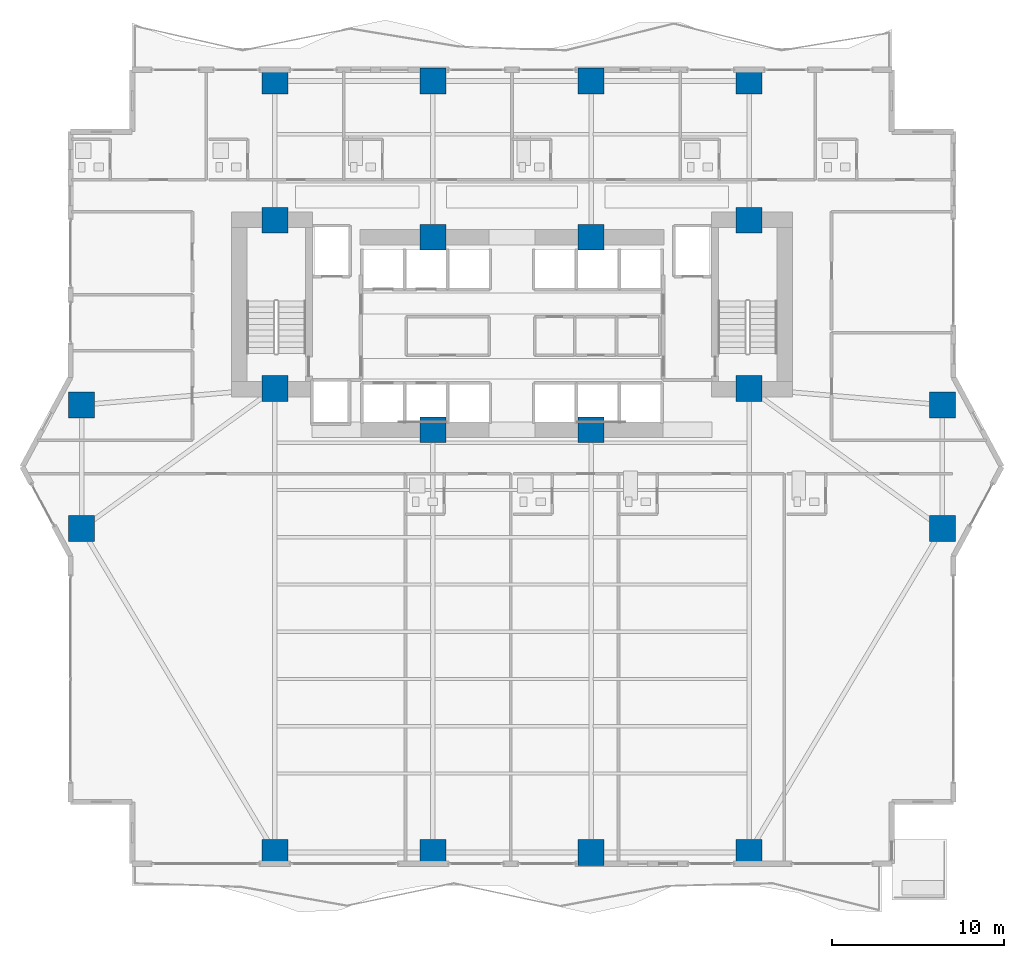
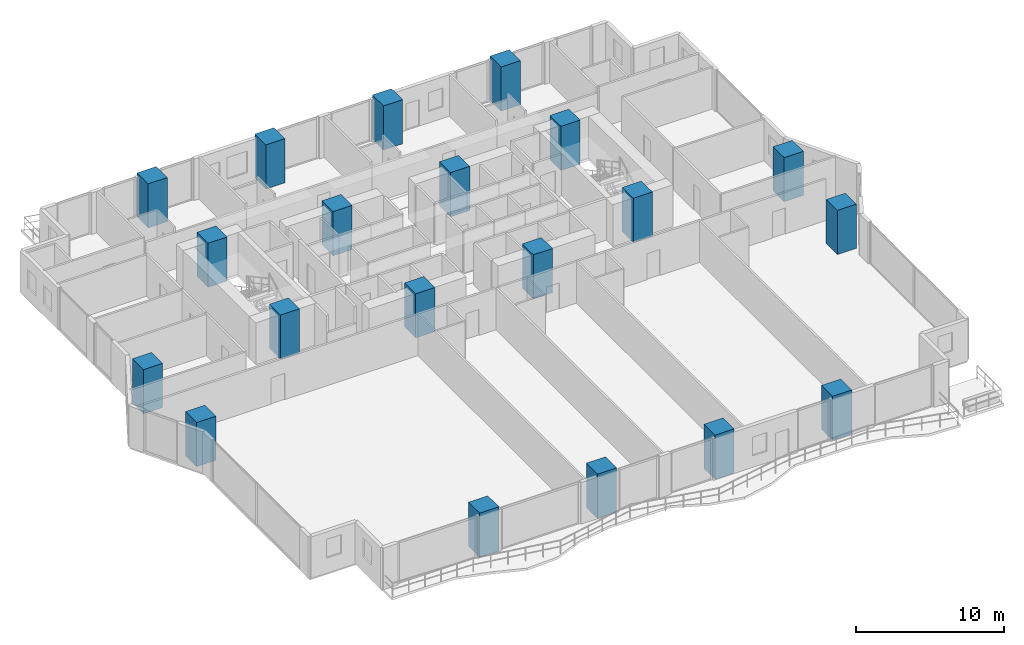
# One storey, part 1 of 30: 20 columns.
"""IFC4 building model written with IfcOpenShell, lengths in metres."""

from ifc_helpers import new_model, si_unit, direction, frame, origin, origin_2d, place, context, subcontext, project, spatial, rectangle, extrude, material, material_profile, profile_set, type_object, element, save


model = new_model("IFC4")

# Units and contexts
model_context = context("Model", 3, precision=1e-05, world=origin(), true_north=direction((0.0, 1.0)))
body_context = subcontext(model_context, "Body", "Model", "MODEL_VIEW")
ifc_project = project(units=[si_unit("LENGTHUNIT", "METRE"), si_unit("AREAUNIT", "SQUARE_METRE"), si_unit("VOLUMEUNIT", "CUBIC_METRE"), si_unit("PLANEANGLEUNIT", "RADIAN"), si_unit("MASSUNIT", "GRAM", prefix="KILO")], contexts=[model_context])

# Site, building, storey
site_placement = place(None, origin())
site = spatial("IfcSite", under=ifc_project, at=site_placement, CompositionType="ELEMENT")
building_placement = place(site_placement, origin())
building = spatial("IfcBuilding", under=site, at=building_placement, Name="Zuhayl Quay Hotel", CompositionType="ELEMENT")
storey_placement = place(building_placement, frame((0.0, 0.0, 82.35009765625)))
storey = spatial("IfcBuildingStorey", under=building, at=storey_placement, Name="L20", CompositionType="ELEMENT", Elevation=82.35009765625)

# Columns
ifc_material = material(Name="Concrete C70/85", Category="concrete")
ifc_material_profile_1 = material_profile(ifc_material, rectangle(XDim=1.5, YDim=1.5, at=origin_2d()), Name="RC1500X1500")
ifc_profile_set_1 = profile_set([ifc_material_profile_1], Name="Concrete C70/85")
column_type_1 = type_object("IfcColumnType", Name="CL_CC1_1500", PredefinedType="COLUMN", material=ifc_profile_set_1)
for number, where, z_axis, x_axis, name in (
    (1, (-13.800048828125, 14.35009765625, 0.0), (0.0, 0.0, 1.0), (1.0, 0.0, 0.0), "L20 Core Column CC_NW"),
    (2, (-4.60009765625, 13.35009765625, 0.0), (0.0, 0.0, 1.0), (1.0, 0.0, 0.0), "L20 Core Column CC_CNW"),
    (3, (4.60009765625, 13.35009765625, 0.0), (0.0, 0.0, 1.0), (1.0, 0.0, 0.0), "L20 Core Column CC_CNE"),
    (4, (13.800048828125, 14.35009765625, 0.0), (0.0, 0.0, 1.0), (1.0, 0.0, 0.0), "L20 Core Column CC_NE"),
    (5, (-13.800048828125, 4.550048828125, 0.0), (0.0, 0.0, 1.0), (1.0, 0.0, 0.0), "L20 Core Column CC_SW"),
    (6, (-4.60009765625, 2.14990234375, 0.0), (0.0, 0.0, 1.0), (1.0, 0.0, 0.0), "L20 Core Column CC_CSW"),
    (7, (4.60009765625, 2.14990234375, 0.0), (0.0, 0.0, 1.0), (1.0, 0.0, 0.0), "L20 Core Column CC_CSE"),
    (8, (13.800048828125, 4.550048828125, 0.0), (0.0, 0.0, 1.0), (1.0, 0.0, 0.0), "L20 Core Column CC_SE"),
):
    element("IfcColumn", number, at=place(storey_placement, frame(where, z_axis=z_axis, x_axis=x_axis)), inside=storey, type_object=column_type_1, Name=name, PredefinedType="COLUMN", context=body_context, shape_type="SweptSolid", body=[
        extrude(rectangle(XDim=1.5, YDim=1.5, at=origin_2d()), origin(), (0.0, 0.0, 1.0), 3.64990234375),
    ])
ifc_material_profile_2 = material_profile(ifc_material, rectangle(XDim=1.5, YDim=1.5, at=origin_2d()), Name="RC1500X1500")
ifc_profile_set_2 = profile_set([ifc_material_profile_2], Name="Concrete C70/85")
column_type_2 = type_object("IfcColumnType", Name="CL_MC1_1500", PredefinedType="COLUMN", material=ifc_profile_set_2)
for number, where, z_axis, x_axis, name in (
    (9, (-13.800048828125, -22.449951171875, 0.0), (0.0, 0.0, 1.0), (1.0, 0.0, 0.0), "L20 Mega-Column MC_S1"),
    (10, (-4.60009765625, -22.449951171875, 0.0), (0.0, 0.0, 1.0), (1.0, 0.0, 0.0), "L20 Mega-Column MC_S2"),
    (11, (4.60009765625, -22.449951171875, 0.0), (0.0, 0.0, 1.0), (1.0, 0.0, 0.0), "L20 Mega-Column MC_S3"),
    (12, (13.800048828125, -22.449951171875, 0.0), (0.0, 0.0, 1.0), (1.0, 0.0, 0.0), "L20 Mega-Column MC_S4"),
    (13, (-13.800048828125, 22.449951171875, 0.0), (0.0, 0.0, 1.0), (1.0, 0.0, 0.0), "L20 Mega-Column MC_N1"),
    (14, (-4.60009765625, 22.449951171875, 0.0), (0.0, 0.0, 1.0), (1.0, 0.0, 0.0), "L20 Mega-Column MC_N2"),
    (15, (4.60009765625, 22.449951171875, 0.0), (0.0, 0.0, 1.0), (1.0, 0.0, 0.0), "L20 Mega-Column MC_N3"),
    (16, (13.800048828125, 22.449951171875, 0.0), (0.0, 0.0, 1.0), (1.0, 0.0, 0.0), "L20 Mega-Column MC_N4"),
    (17, (-25.050048828125, -3.60009765625, 0.0), (0.0, 0.0, 1.0), (1.0, 0.0, 0.0), "L20 Mega-Column MC_W1"),
    (18, (-25.050048828125, 3.60009765625, 0.0), (0.0, 0.0, 1.0), (1.0, 0.0, 0.0), "L20 Mega-Column MC_W2"),
    (19, (25.050048828125, -3.60009765625, 0.0), (0.0, 0.0, 1.0), (1.0, 0.0, 0.0), "L20 Mega-Column MC_E1"),
    (20, (25.050048828125, 3.60009765625, 0.0), (0.0, 0.0, 1.0), (1.0, 0.0, 0.0), "L20 Mega-Column MC_E2"),
):
    element("IfcColumn", number, at=place(storey_placement, frame(where, z_axis=z_axis, x_axis=x_axis)), inside=storey, type_object=column_type_2, Name=name, PredefinedType="COLUMN", context=body_context, shape_type="SweptSolid", body=[
        extrude(rectangle(XDim=1.5, YDim=1.5, at=origin_2d()), origin(), (0.0, 0.0, 1.0), 3.64990234375),
    ])

save(model, "model.ifc")
